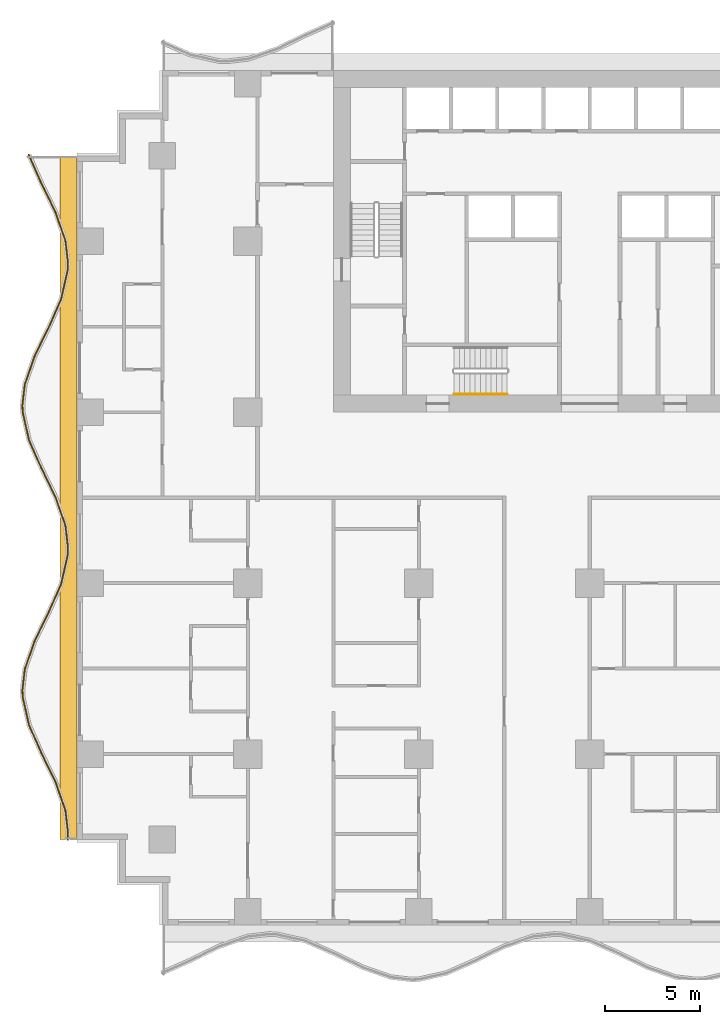
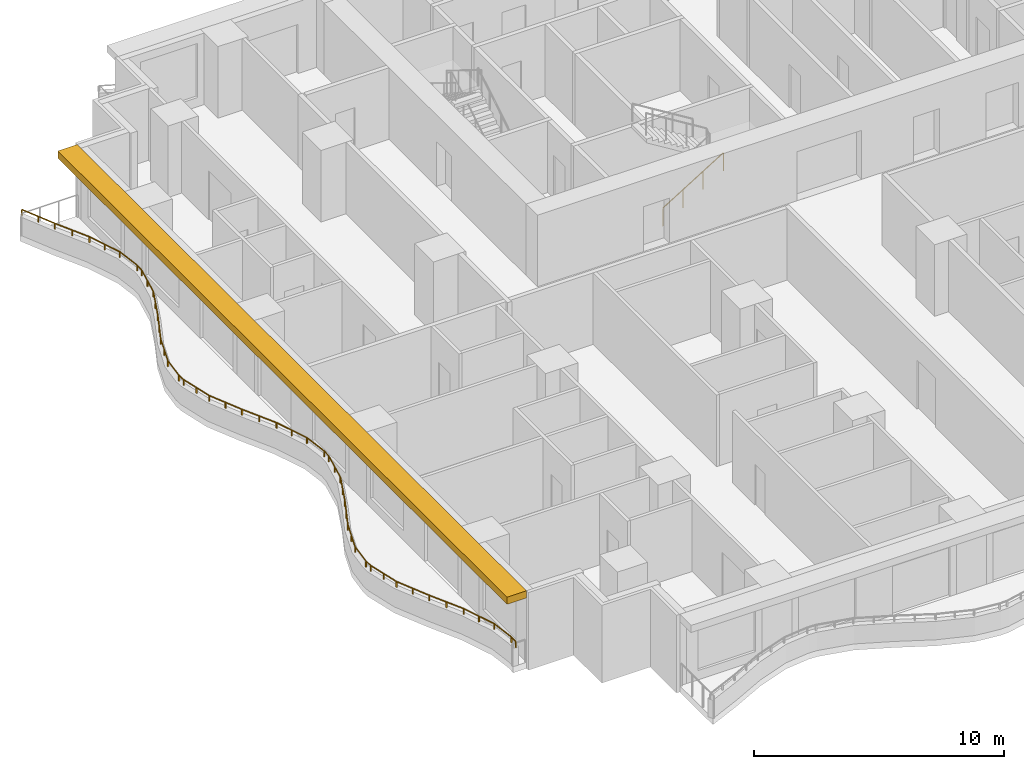
# One storey, part 9 of 14: 2 railings, 1 shading device.
"""IFC4 building model written with IfcOpenShell, lengths in metres."""

from ifc_helpers import new_model, si_unit, direction, frame, origin, origin_2d, place, context, subcontext, project, spatial, polyline, rectangle, circle, outline, extrude, material, layer, layer_set, type_object, element, save


model = new_model("IFC4")

# Units and contexts
model_context = context("Model", 3, precision=1e-05, world=origin(), true_north=direction((0.0, 1.0)))
body_context = subcontext(model_context, "Body", "Model", "MODEL_VIEW")
ifc_project = project(units=[si_unit("LENGTHUNIT", "METRE"), si_unit("AREAUNIT", "SQUARE_METRE"), si_unit("VOLUMEUNIT", "CUBIC_METRE"), si_unit("PLANEANGLEUNIT", "RADIAN"), si_unit("MASSUNIT", "GRAM", prefix="KILO")], contexts=[model_context])

# Site, building, storey
site_placement = place(None, origin())
site = spatial("IfcSite", under=ifc_project, at=site_placement, CompositionType="ELEMENT")
building_placement = place(site_placement, origin())
building = spatial("IfcBuilding", under=site, at=building_placement, Name="Orbiselva Terraces", CompositionType="ELEMENT")
storey_placement = place(building_placement, frame((0.0, 0.0, 56.8)))
storey = spatial("IfcBuildingStorey", under=building, at=storey_placement, Name="L14", CompositionType="ELEMENT", Elevation=56.8)

# Railings
ifc_material_1 = material(Name="Stainless steel", Category="steel")
railing_type_1 = type_object("IfcRailingType", Name="CORE-HANDRAIL-900", PredefinedType="HANDRAIL", material=ifc_material_1)
railing_1_placement = place(storey_placement, frame((-7.15, 5.45, 0.172727)))
element("IfcRailing", 1, at=railing_1_placement, inside=storey, type_object=railing_type_1, Name="L14 S3 stair handrail 1", PredefinedType="HANDRAIL", context=body_context, shape_type="SweptSolid", body=[
    extrude(circle(Radius=0.024, at=origin_2d()), frame((0.0, 0.0, 0.876), z_axis=(0.851088519012, 0.0, 0.52502222125), x_axis=(0.0, 1.0, 0.0)), (0.0, 0.0, 1.0), 3.289905),
    extrude(circle(Radius=0.021, at=origin_2d()), origin(), (0.0, 0.0, 1.0), 0.852),
    extrude(circle(Radius=0.021, at=origin_2d()), frame((0.933333, 0.0, 0.575758)), (0.0, 0.0, 1.0), 0.852),
    extrude(circle(Radius=0.021, at=origin_2d()), frame((1.866667, 0.0, 1.151515)), (0.0, 0.0, 1.0), 0.852),
    extrude(circle(Radius=0.021, at=origin_2d()), frame((2.8, 0.0, 1.727273)), (0.0, 0.0, 1.0), 0.852),
])
ifc_material_2 = material(Name="Bonded two-ply safety glass balustrade, stainless steel posts", Category="steel")
railing_type_2 = type_object("IfcRailingType", Name="ENV-BALUSTRADE-1200", PredefinedType="BALUSTRADE", material=ifc_material_2)
railing_2_placement = place(storey_placement, frame((-29.534136, 18.050394, 0.9)))
element("IfcRailing", 2, at=railing_2_placement, inside=storey, type_object=railing_type_2, Name="Balcony balustrade L14 W", PredefinedType="BALUSTRADE", context=body_context, shape_type="SweptSolid", body=[
    extrude(outline(polyline([(0.028868, 0.0), (0.014434, 0.025), (-0.014434, 0.025), (-0.028868, 0.0), (-0.014434, -0.025), (0.014434, -0.025), (0.028868, 0.0)])), frame((0.0, 0.0, 0.275), z_axis=(0.403150940408, -0.915133498047, 0.0), x_axis=(0.915133498047, 0.403150940408, 0.0)), (0.0, 0.0, 1.0), 1.636648),
    extrude(outline(polyline([(0.028868, 0.0), (0.014434, 0.025), (-0.014434, 0.025), (-0.028868, 0.0), (-0.014434, -0.025), (0.014434, -0.025), (0.028868, 0.0)])), frame((0.659816, -1.497751, 0.275), z_axis=(0.438812048596, -0.898578870221, 0.0), x_axis=(0.898578870221, 0.438812048596, 0.0)), (0.0, 0.0, 1.0), 1.674225),
    extrude(outline(polyline([(0.028868, 0.0), (0.014434, 0.025), (-0.014434, 0.025), (-0.028868, 0.0), (-0.014434, -0.025), (0.014434, -0.025), (0.028868, 0.0)])), frame((1.394486, -3.002174, 0.275), z_axis=(0.330024597479, -0.943972332783, 0.0), x_axis=(0.943972332783, 0.330024597479, 0.0)), (0.0, 0.0, 1.0), 1.610253),
    extrude(outline(polyline([(0.028868, 0.0), (0.014434, 0.025), (-0.014434, 0.025), (-0.028868, 0.0), (-0.014434, -0.025), (0.014434, -0.025), (0.028868, 0.0)])), frame((1.925909, -4.522208, 0.275), z_axis=(0.115482182324, -0.993309551734, 0.0), x_axis=(0.993309551734, 0.115482182324, 0.0)), (0.0, 0.0, 1.0), 1.156135),
    extrude(outline(polyline([(0.028868, 0.0), (0.014434, 0.025), (-0.014434, 0.025), (-0.028868, 0.0), (-0.014434, -0.025), (0.014434, -0.025), (0.028868, 0.0)])), frame((2.059422, -5.670608, 0.275), z_axis=(-0.03936915532, -0.999224734286, 0.0), x_axis=(0.999224734286, -0.03936915532, 0.0)), (0.0, 0.0, 1.0), 0.396376),
    extrude(outline(polyline([(0.028868, 0.0), (0.014434, 0.025), (-0.014434, 0.025), (-0.028868, 0.0), (-0.014434, -0.025), (0.014434, -0.025), (0.028868, 0.0)])), frame((2.043817, -6.066677, 0.275), z_axis=(-0.219015500924, -0.97572137947, 0.0), x_axis=(0.97572137947, -0.219015500924, 0.0)), (0.0, 0.0, 1.0), 1.560867),
    extrude(outline(polyline([(0.028868, 0.0), (0.014434, 0.025), (-0.014434, 0.025), (-0.028868, 0.0), (-0.014434, -0.025), (0.014434, -0.025), (0.028868, 0.0)])), frame((1.701963, -7.589648, 0.275), z_axis=(-0.403150874148, -0.915133527237, 0.0), x_axis=(0.915133527237, -0.403150874148, 0.0)), (0.0, 0.0, 1.0), 1.653736),
    extrude(outline(polyline([(0.028868, 0.0), (0.014434, 0.025), (-0.014434, 0.025), (-0.028868, 0.0), (-0.014434, -0.025), (0.014434, -0.025), (0.028868, 0.0)])), frame((1.035258, -9.103037, 0.275), z_axis=(-0.438811978768, -0.89857890432, 0.0), x_axis=(0.89857890432, -0.438811978768, 0.0)), (0.0, 0.0, 1.0), 1.66438),
    extrude(outline(polyline([(0.028868, 0.0), (0.014434, 0.025), (-0.014434, 0.025), (-0.028868, 0.0), (-0.014434, -0.025), (0.014434, -0.025), (0.028868, 0.0)])), frame((0.304908, -10.598614, 0.275), z_axis=(-0.330024754707, -0.943972277814, 0.0), x_axis=(0.943972277814, -0.330024754707, 0.0)), (0.0, 0.0, 1.0), 1.567807),
    extrude(outline(polyline([(0.028868, 0.0), (0.014434, 0.025), (-0.014434, 0.025), (-0.028868, 0.0), (-0.014434, -0.025), (0.014434, -0.025), (0.028868, 0.0)])), frame((-0.212507, -12.07858, 0.275), z_axis=(-0.115481264762, -0.993309658409, 0.0), x_axis=(0.993309658409, -0.115481264762, 0.0)), (0.0, 0.0, 1.0), 1.10902),
    extrude(outline(polyline([(0.028868, 0.0), (0.014434, 0.025), (-0.014434, 0.025), (-0.028868, 0.0), (-0.014434, -0.025), (0.014434, -0.025), (0.028868, 0.0)])), frame((-0.340578, -13.18018, 0.275), z_axis=(0.039364150694, -0.999224931454, 0.0), x_axis=(0.999224931454, 0.039364150694, 0.0)), (0.0, 0.0, 1.0), 0.354206),
    extrude(outline(polyline([(0.028868, 0.0), (0.014434, 0.025), (-0.014434, 0.025), (-0.028868, 0.0), (-0.014434, -0.025), (0.014434, -0.025), (0.028868, 0.0)])), frame((-0.326635, -13.534111, 0.275), z_axis=(0.219015740235, -0.975721325753, 0.0), x_axis=(0.975721325753, 0.219015740235, 0.0)), (0.0, 0.0, 1.0), 1.513782),
    extrude(outline(polyline([(0.028868, 0.0), (0.014434, 0.025), (-0.014434, 0.025), (-0.028868, 0.0), (-0.014434, -0.025), (0.014434, -0.025), (0.028868, 0.0)])), frame((0.004907, -15.01114, 0.275), z_axis=(0.403151245402, -0.915133363686, 0.0), x_axis=(0.915133363686, 0.403151245402, 0.0)), (0.0, 0.0, 1.0), 1.624475),
    extrude(outline(polyline([(0.028868, 0.0), (0.014434, 0.025), (-0.014434, 0.025), (-0.028868, 0.0), (-0.014434, -0.025), (0.014434, -0.025), (0.028868, 0.0)])), frame((0.659816, -16.497751, 0.275), z_axis=(0.438812048596, -0.898578870221, 0.0), x_axis=(0.898578870221, 0.438812048596, 0.0)), (0.0, 0.0, 1.0), 1.674225),
    extrude(outline(polyline([(0.028868, 0.0), (0.014434, 0.025), (-0.014434, 0.025), (-0.028868, 0.0), (-0.014434, -0.025), (0.014434, -0.025), (0.028868, 0.0)])), frame((1.394486, -18.002174, 0.275), z_axis=(0.330024597479, -0.943972332783, 0.0), x_axis=(0.943972332783, 0.330024597479, 0.0)), (0.0, 0.0, 1.0), 1.610253),
    extrude(outline(polyline([(0.028868, 0.0), (0.014434, 0.025), (-0.014434, 0.025), (-0.028868, 0.0), (-0.014434, -0.025), (0.014434, -0.025), (0.028868, 0.0)])), frame((1.925909, -19.522208, 0.275), z_axis=(0.115482182324, -0.993309551734, 0.0), x_axis=(0.993309551734, 0.115482182324, 0.0)), (0.0, 0.0, 1.0), 1.156135),
    extrude(outline(polyline([(0.028868, 0.0), (0.014434, 0.025), (-0.014434, 0.025), (-0.028868, 0.0), (-0.014434, -0.025), (0.014434, -0.025), (0.028868, 0.0)])), frame((2.059422, -20.670608, 0.275), z_axis=(-0.03936915532, -0.999224734286, 0.0), x_axis=(0.999224734286, -0.03936915532, 0.0)), (0.0, 0.0, 1.0), 0.396376),
    extrude(outline(polyline([(0.028868, 0.0), (0.014434, 0.025), (-0.014434, 0.025), (-0.028868, 0.0), (-0.014434, -0.025), (0.014434, -0.025), (0.028868, 0.0)])), frame((2.043817, -21.066677, 0.275), z_axis=(-0.219015500924, -0.97572137947, 0.0), x_axis=(0.97572137947, -0.219015500924, 0.0)), (0.0, 0.0, 1.0), 1.560867),
    extrude(outline(polyline([(0.028868, 0.0), (0.014434, 0.025), (-0.014434, 0.025), (-0.028868, 0.0), (-0.014434, -0.025), (0.014434, -0.025), (0.028868, 0.0)])), frame((1.701963, -22.589648, 0.275), z_axis=(-0.403150874148, -0.915133527237, 0.0), x_axis=(0.915133527237, -0.403150874148, 0.0)), (0.0, 0.0, 1.0), 1.653736),
    extrude(outline(polyline([(0.028868, 0.0), (0.014434, 0.025), (-0.014434, 0.025), (-0.028868, 0.0), (-0.014434, -0.025), (0.014434, -0.025), (0.028868, 0.0)])), frame((1.035258, -24.103037, 0.275), z_axis=(-0.438811978768, -0.89857890432, 0.0), x_axis=(0.89857890432, -0.438811978768, 0.0)), (0.0, 0.0, 1.0), 1.66438),
    extrude(outline(polyline([(0.028868, 0.0), (0.014434, 0.025), (-0.014434, 0.025), (-0.028868, 0.0), (-0.014434, -0.025), (0.014434, -0.025), (0.028868, 0.0)])), frame((0.304908, -25.598614, 0.275), z_axis=(-0.330024754707, -0.943972277814, 0.0), x_axis=(0.943972277814, -0.330024754707, 0.0)), (0.0, 0.0, 1.0), 1.567807),
    extrude(outline(polyline([(0.028868, 0.0), (0.014434, 0.025), (-0.014434, 0.025), (-0.028868, 0.0), (-0.014434, -0.025), (0.014434, -0.025), (0.028868, 0.0)])), frame((-0.212507, -27.07858, 0.275), z_axis=(-0.115481264762, -0.993309658409, 0.0), x_axis=(0.993309658409, -0.115481264762, 0.0)), (0.0, 0.0, 1.0), 1.10902),
    extrude(outline(polyline([(0.028868, 0.0), (0.014434, 0.025), (-0.014434, 0.025), (-0.028868, 0.0), (-0.014434, -0.025), (0.014434, -0.025), (0.028868, 0.0)])), frame((-0.340578, -28.18018, 0.275), z_axis=(0.039364150694, -0.999224931454, 0.0), x_axis=(0.999224931454, 0.039364150694, 0.0)), (0.0, 0.0, 1.0), 0.354206),
    extrude(outline(polyline([(0.028868, 0.0), (0.014434, 0.025), (-0.014434, 0.025), (-0.028868, 0.0), (-0.014434, -0.025), (0.014434, -0.025), (0.028868, 0.0)])), frame((-0.326635, -28.534111, 0.275), z_axis=(0.219015740235, -0.975721325753, 0.0), x_axis=(0.975721325753, 0.219015740235, 0.0)), (0.0, 0.0, 1.0), 1.513782),
    extrude(outline(polyline([(0.028868, 0.0), (0.014434, 0.025), (-0.014434, 0.025), (-0.028868, 0.0), (-0.014434, -0.025), (0.014434, -0.025), (0.028868, 0.0)])), frame((0.004907, -30.01114, 0.275), z_axis=(0.403151245402, -0.915133363686, 0.0), x_axis=(0.915133363686, 0.403151245402, 0.0)), (0.0, 0.0, 1.0), 1.624475),
    extrude(outline(polyline([(0.028868, 0.0), (0.014434, 0.025), (-0.014434, 0.025), (-0.028868, 0.0), (-0.014434, -0.025), (0.014434, -0.025), (0.028868, 0.0)])), frame((0.659816, -31.497751, 0.275), z_axis=(0.438812048596, -0.898578870221, 0.0), x_axis=(0.898578870221, 0.438812048596, 0.0)), (0.0, 0.0, 1.0), 1.674225),
    extrude(outline(polyline([(0.028868, 0.0), (0.014434, 0.025), (-0.014434, 0.025), (-0.028868, 0.0), (-0.014434, -0.025), (0.014434, -0.025), (0.028868, 0.0)])), frame((1.394486, -33.002174, 0.275), z_axis=(0.330024597479, -0.943972332783, 0.0), x_axis=(0.943972332783, 0.330024597479, 0.0)), (0.0, 0.0, 1.0), 1.610253),
    extrude(outline(polyline([(0.028868, 0.0), (0.014434, 0.025), (-0.014434, 0.025), (-0.028868, 0.0), (-0.014434, -0.025), (0.014434, -0.025), (0.028868, 0.0)])), frame((1.925909, -34.522208, 0.275), z_axis=(0.115482182324, -0.993309551734, 0.0), x_axis=(0.993309551734, 0.115482182324, 0.0)), (0.0, 0.0, 1.0), 1.156135),
    extrude(outline(polyline([(0.028868, 0.0), (0.014434, 0.025), (-0.014434, 0.025), (-0.028868, 0.0), (-0.014434, -0.025), (0.014434, -0.025), (0.028868, 0.0)])), frame((2.059422, -35.670608, 0.275), z_axis=(-0.039368272023, -0.999224769087, 0.0), x_axis=(0.999224769087, -0.039368272023, 0.0)), (0.0, 0.0, 1.0), 0.385005),
    extrude(rectangle(XDim=0.05, YDim=0.05, at=origin_2d()), origin(), (0.0, 0.0, 1.0), 0.25),
    extrude(rectangle(XDim=0.05, YDim=0.05, at=origin_2d()), frame((0.329908, -0.748876, 0.0)), (0.0, 0.0, 1.0), 0.25),
    extrude(rectangle(XDim=0.05, YDim=0.05, at=origin_2d()), frame((0.659816, -1.497751, 0.0)), (0.0, 0.0, 1.0), 0.25),
    extrude(rectangle(XDim=0.05, YDim=0.05, at=origin_2d()), frame((1.027151, -2.249963, 0.0)), (0.0, 0.0, 1.0), 0.25),
    extrude(rectangle(XDim=0.05, YDim=0.05, at=origin_2d()), frame((1.394486, -3.002174, 0.0)), (0.0, 0.0, 1.0), 0.25),
    extrude(rectangle(XDim=0.05, YDim=0.05, at=origin_2d()), frame((1.660198, -3.762191, 0.0)), (0.0, 0.0, 1.0), 0.25),
    extrude(rectangle(XDim=0.05, YDim=0.05, at=origin_2d()), frame((1.925909, -4.522208, 0.0)), (0.0, 0.0, 1.0), 0.25),
    extrude(rectangle(XDim=0.05, YDim=0.05, at=origin_2d()), frame((2.059422, -5.670608, 0.0)), (0.0, 0.0, 1.0), 0.25),
    extrude(rectangle(XDim=0.05, YDim=0.05, at=origin_2d()), frame((2.043817, -6.066677, 0.0)), (0.0, 0.0, 1.0), 0.25),
    extrude(rectangle(XDim=0.05, YDim=0.05, at=origin_2d()), frame((1.87289, -6.828162, 0.0)), (0.0, 0.0, 1.0), 0.25),
    extrude(rectangle(XDim=0.05, YDim=0.05, at=origin_2d()), frame((1.701963, -7.589648, 0.0)), (0.0, 0.0, 1.0), 0.25),
    extrude(rectangle(XDim=0.05, YDim=0.05, at=origin_2d()), frame((1.36861, -8.346342, 0.0)), (0.0, 0.0, 1.0), 0.25),
    extrude(rectangle(XDim=0.05, YDim=0.05, at=origin_2d()), frame((1.035258, -9.103037, 0.0)), (0.0, 0.0, 1.0), 0.25),
    extrude(rectangle(XDim=0.05, YDim=0.05, at=origin_2d()), frame((0.670083, -9.850826, 0.0)), (0.0, 0.0, 1.0), 0.25),
    extrude(rectangle(XDim=0.05, YDim=0.05, at=origin_2d()), frame((0.304908, -10.598614, 0.0)), (0.0, 0.0, 1.0), 0.25),
    extrude(rectangle(XDim=0.05, YDim=0.05, at=origin_2d()), frame((0.046201, -11.338597, 0.0)), (0.0, 0.0, 1.0), 0.25),
    extrude(rectangle(XDim=0.05, YDim=0.05, at=origin_2d()), frame((-0.212507, -12.07858, 0.0)), (0.0, 0.0, 1.0), 0.25),
    extrude(rectangle(XDim=0.05, YDim=0.05, at=origin_2d()), frame((-0.340578, -13.18018, 0.0)), (0.0, 0.0, 1.0), 0.25),
    extrude(rectangle(XDim=0.05, YDim=0.05, at=origin_2d()), frame((-0.326635, -13.534111, 0.0)), (0.0, 0.0, 1.0), 0.25),
    extrude(rectangle(XDim=0.05, YDim=0.05, at=origin_2d()), frame((-0.160864, -14.272626, 0.0)), (0.0, 0.0, 1.0), 0.25),
    extrude(rectangle(XDim=0.05, YDim=0.05, at=origin_2d()), frame((0.004907, -15.01114, 0.0)), (0.0, 0.0, 1.0), 0.25),
    extrude(rectangle(XDim=0.05, YDim=0.05, at=origin_2d()), frame((0.332361, -15.754446, 0.0)), (0.0, 0.0, 1.0), 0.25),
    extrude(rectangle(XDim=0.05, YDim=0.05, at=origin_2d()), frame((0.659816, -16.497751, 0.0)), (0.0, 0.0, 1.0), 0.25),
    extrude(rectangle(XDim=0.05, YDim=0.05, at=origin_2d()), frame((1.027151, -17.249963, 0.0)), (0.0, 0.0, 1.0), 0.25),
    extrude(rectangle(XDim=0.05, YDim=0.05, at=origin_2d()), frame((1.394486, -18.002174, 0.0)), (0.0, 0.0, 1.0), 0.25),
    extrude(rectangle(XDim=0.05, YDim=0.05, at=origin_2d()), frame((1.660198, -18.762191, 0.0)), (0.0, 0.0, 1.0), 0.25),
    extrude(rectangle(XDim=0.05, YDim=0.05, at=origin_2d()), frame((1.925909, -19.522208, 0.0)), (0.0, 0.0, 1.0), 0.25),
    extrude(rectangle(XDim=0.05, YDim=0.05, at=origin_2d()), frame((2.059422, -20.670608, 0.0)), (0.0, 0.0, 1.0), 0.25),
    extrude(rectangle(XDim=0.05, YDim=0.05, at=origin_2d()), frame((2.043817, -21.066677, 0.0)), (0.0, 0.0, 1.0), 0.25),
    extrude(rectangle(XDim=0.05, YDim=0.05, at=origin_2d()), frame((1.87289, -21.828162, 0.0)), (0.0, 0.0, 1.0), 0.25),
    extrude(rectangle(XDim=0.05, YDim=0.05, at=origin_2d()), frame((1.701963, -22.589648, 0.0)), (0.0, 0.0, 1.0), 0.25),
    extrude(rectangle(XDim=0.05, YDim=0.05, at=origin_2d()), frame((1.36861, -23.346342, 0.0)), (0.0, 0.0, 1.0), 0.25),
    extrude(rectangle(XDim=0.05, YDim=0.05, at=origin_2d()), frame((1.035258, -24.103037, 0.0)), (0.0, 0.0, 1.0), 0.25),
    extrude(rectangle(XDim=0.05, YDim=0.05, at=origin_2d()), frame((0.670083, -24.850826, 0.0)), (0.0, 0.0, 1.0), 0.25),
    extrude(rectangle(XDim=0.05, YDim=0.05, at=origin_2d()), frame((0.304908, -25.598614, 0.0)), (0.0, 0.0, 1.0), 0.25),
    extrude(rectangle(XDim=0.05, YDim=0.05, at=origin_2d()), frame((0.046201, -26.338597, 0.0)), (0.0, 0.0, 1.0), 0.25),
    extrude(rectangle(XDim=0.05, YDim=0.05, at=origin_2d()), frame((-0.212507, -27.07858, 0.0)), (0.0, 0.0, 1.0), 0.25),
    extrude(rectangle(XDim=0.05, YDim=0.05, at=origin_2d()), frame((-0.340578, -28.18018, 0.0)), (0.0, 0.0, 1.0), 0.25),
    extrude(rectangle(XDim=0.05, YDim=0.05, at=origin_2d()), frame((-0.326635, -28.534111, 0.0)), (0.0, 0.0, 1.0), 0.25),
    extrude(rectangle(XDim=0.05, YDim=0.05, at=origin_2d()), frame((-0.160864, -29.272626, 0.0)), (0.0, 0.0, 1.0), 0.25),
    extrude(rectangle(XDim=0.05, YDim=0.05, at=origin_2d()), frame((0.004907, -30.01114, 0.0)), (0.0, 0.0, 1.0), 0.25),
    extrude(rectangle(XDim=0.05, YDim=0.05, at=origin_2d()), frame((0.332361, -30.754446, 0.0)), (0.0, 0.0, 1.0), 0.25),
    extrude(rectangle(XDim=0.05, YDim=0.05, at=origin_2d()), frame((0.659816, -31.497751, 0.0)), (0.0, 0.0, 1.0), 0.25),
    extrude(rectangle(XDim=0.05, YDim=0.05, at=origin_2d()), frame((1.027151, -32.249962, 0.0)), (0.0, 0.0, 1.0), 0.25),
    extrude(rectangle(XDim=0.05, YDim=0.05, at=origin_2d()), frame((1.394486, -33.002174, 0.0)), (0.0, 0.0, 1.0), 0.25),
    extrude(rectangle(XDim=0.05, YDim=0.05, at=origin_2d()), frame((1.660198, -33.762191, 0.0)), (0.0, 0.0, 1.0), 0.25),
    extrude(rectangle(XDim=0.05, YDim=0.05, at=origin_2d()), frame((1.925909, -34.522208, 0.0)), (0.0, 0.0, 1.0), 0.25),
    extrude(rectangle(XDim=0.05, YDim=0.05, at=origin_2d()), frame((2.059422, -35.670608, 0.0)), (0.0, 0.0, 1.0), 0.25),
    extrude(rectangle(XDim=0.05, YDim=0.05, at=origin_2d()), frame((2.044265, -36.055315, 0.0)), (0.0, 0.0, 1.0), 0.25),
])

# Shading device
ifc_material_3 = material(Name="Terracotta baguette sunshade", Category="masonry")
ifc_layer = layer(ifc_material_3, 0.35)
ifc_layer_set = layer_set([ifc_layer], Name="Terracotta baguette sunshade")
shading_device_type = type_object("IfcShadingDeviceType", Name="ENV-SUNSHADE-900x350", PredefinedType="USERDEFINED", material=ifc_layer_set)
shading_device_placement = place(storey_placement, frame((0.0, 0.0, 3.15)))
element("IfcShadingDevice", 3, at=shading_device_placement, inside=storey, type_object=shading_device_type, Name="Sunshade band L14 W", ObjectType="SUNSHADE", PredefinedType="USERDEFINED", context=body_context, shape_type="SweptSolid", body=[
    extrude(outline(polyline([(-27.9, 18.0), (-27.9, -18.0), (-27.0, -18.0), (-27.0, 18.0), (-27.9, 18.0)])), origin(), (0.0, 0.0, 1.0), 0.35),
])

save(model, "model.ifc")
